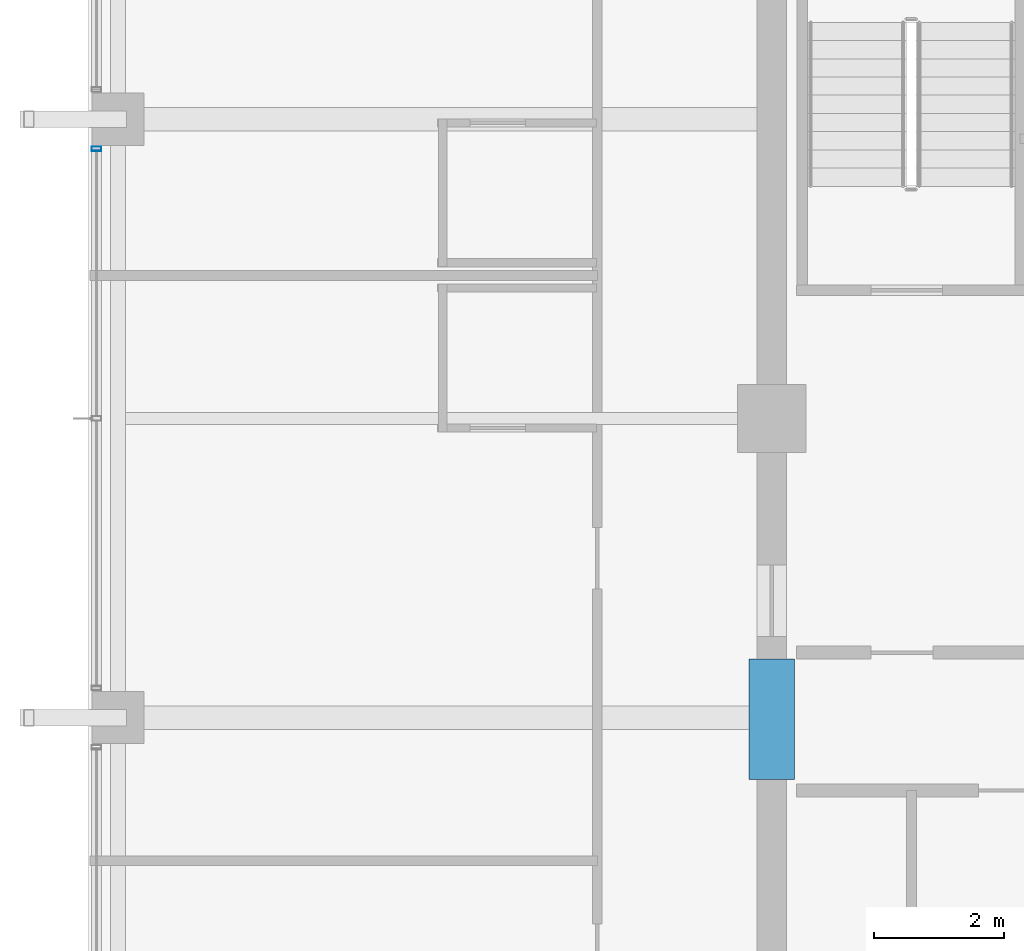
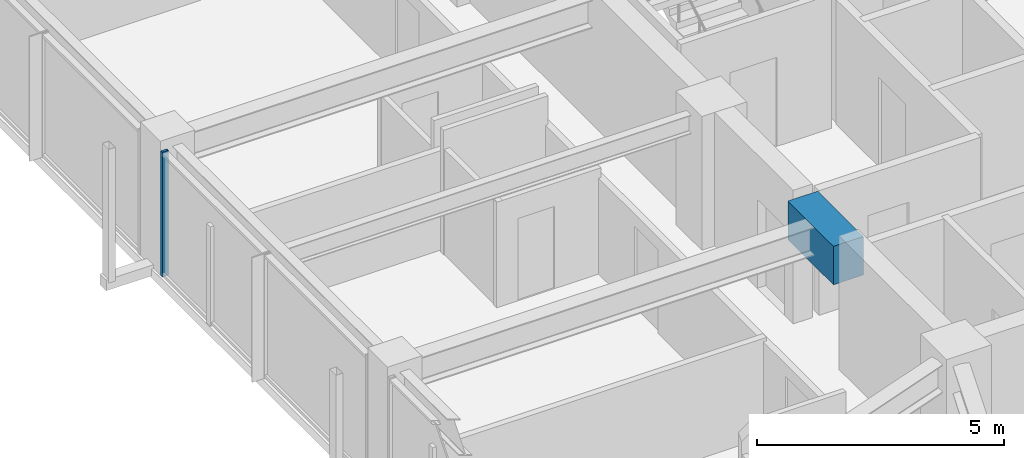
# One storey, part 9 of 38: 1 beam, 1 member, 1 element without a shape of its own.
"""IFC4 building model written with IfcOpenShell, lengths in metres."""

from ifc_helpers import new_model, si_unit, direction, frame, origin, origin_2d, place, context, subcontext, project, spatial, rectangle, hollow_rectangle, extrude, material, material_profile, profile_set, type_object, element, aggregate, save


model = new_model("IFC4")

# Units and contexts
model_context = context("Model", 3, precision=1e-05, world=origin(), true_north=direction((0.0, 1.0)))
body_context = subcontext(model_context, "Body", "Model", "MODEL_VIEW")
ifc_project = project(units=[si_unit("LENGTHUNIT", "METRE"), si_unit("AREAUNIT", "SQUARE_METRE"), si_unit("VOLUMEUNIT", "CUBIC_METRE"), si_unit("PLANEANGLEUNIT", "RADIAN"), si_unit("MASSUNIT", "GRAM", prefix="KILO")], contexts=[model_context])

# Site, building, storey
site_placement = place(None, origin())
site = spatial("IfcSite", under=ifc_project, at=site_placement, CompositionType="ELEMENT")
building_placement = place(site_placement, origin())
building = spatial("IfcBuilding", under=site, at=building_placement, Name="Kolvaren Belvedere", CompositionType="ELEMENT")
storey_placement = place(building_placement, frame((0.0, 0.0, 213.0)))
storey = spatial("IfcBuildingStorey", under=building, at=storey_placement, Name="L62", CompositionType="ELEMENT", Elevation=213.0)

# Beam
ifc_material_1 = material(Name="Concrete C60/75", Category="concrete")
ifc_material_profile_1 = material_profile(ifc_material_1, rectangle(XDim=0.699951171875, YDim=0.949951171875, at=origin_2d()), Name="RC 700X950")
ifc_profile_set_1 = profile_set([ifc_material_profile_1], Name="Concrete C60/75")
beam_type = type_object("IfcBeamType", Name="BM-LINT-950", PredefinedType="LINTEL", material=ifc_profile_set_1)
beam_placement = place(storey_placement, frame((-9.89990234375, -5.550048828125, 2.60498046875), z_axis=(0.0, 1.0, 0.0), x_axis=(-1.0, 0.0, 0.0)))
element("IfcBeam", 1, at=beam_placement, inside=storey, type_object=beam_type, Name="L62 West Core Coupling Lintel", PredefinedType="LINTEL", context=body_context, shape_type="SweptSolid", body=[
    extrude(rectangle(XDim=0.699951171875, YDim=0.949951171875, at=origin_2d()), origin(), (0.0, 0.0, 1.0), 1.85009765625),
])

# Curtain wall, member
ifc_material_2 = material(Name="Anodised pale-metal aluminium AA 6063-T6", Category="aluminium")
curtain_wall_type = type_object("IfcCurtainWallType", Name="CW-Z5-HIGH", PredefinedType="NOTDEFINED", material=ifc_material_2)
curtain_wall_placement = place(storey_placement, origin())
curtain_wall = element("IfcCurtainWall", 2, at=curtain_wall_placement, inside=storey, type_object=curtain_wall_type, Name="L62 Unitised Curtain Wall FCW-L62-W-B2", PredefinedType="NOTDEFINED")
ifc_material_3 = material(Name="Anodised pale-metal aluminium AA 6063-T6", Category="aluminium")
ifc_material_profile_2 = material_profile(ifc_material_3, hollow_rectangle(XDim=0.070068359375, YDim=0.14990234375, WallThickness=0.004150390625, at=origin_2d()), Name="ALU-MUL-150X70")
ifc_profile_set_2 = profile_set([ifc_material_profile_2], Name="Anodised pale-metal aluminium AA 6063-T6")
member_type = type_object("IfcMemberType", Name="CW-MUL-150", PredefinedType="MULLION", material=ifc_profile_set_2)
member_placement = place(storey_placement, frame((-20.280029296875, 4.14501953125, 0.0), z_axis=(0.0, 0.0, 1.0), x_axis=(0.0, 1.0, 0.0)))
member = element("IfcMember", 3, at=member_placement, type_object=member_type, Name="FCW-L62-W-B2 Unitised Mullion 3", PredefinedType="MULLION", context=body_context, shape_type="SweptSolid", body=[
    extrude(hollow_rectangle(XDim=0.070068359375, YDim=0.14990234375, WallThickness=0.004150390625, at=origin_2d()), origin(), (0.0, 0.0, 1.0), 3.080078125),
])
aggregate(curtain_wall, [member])

save(model, "model.ifc")
